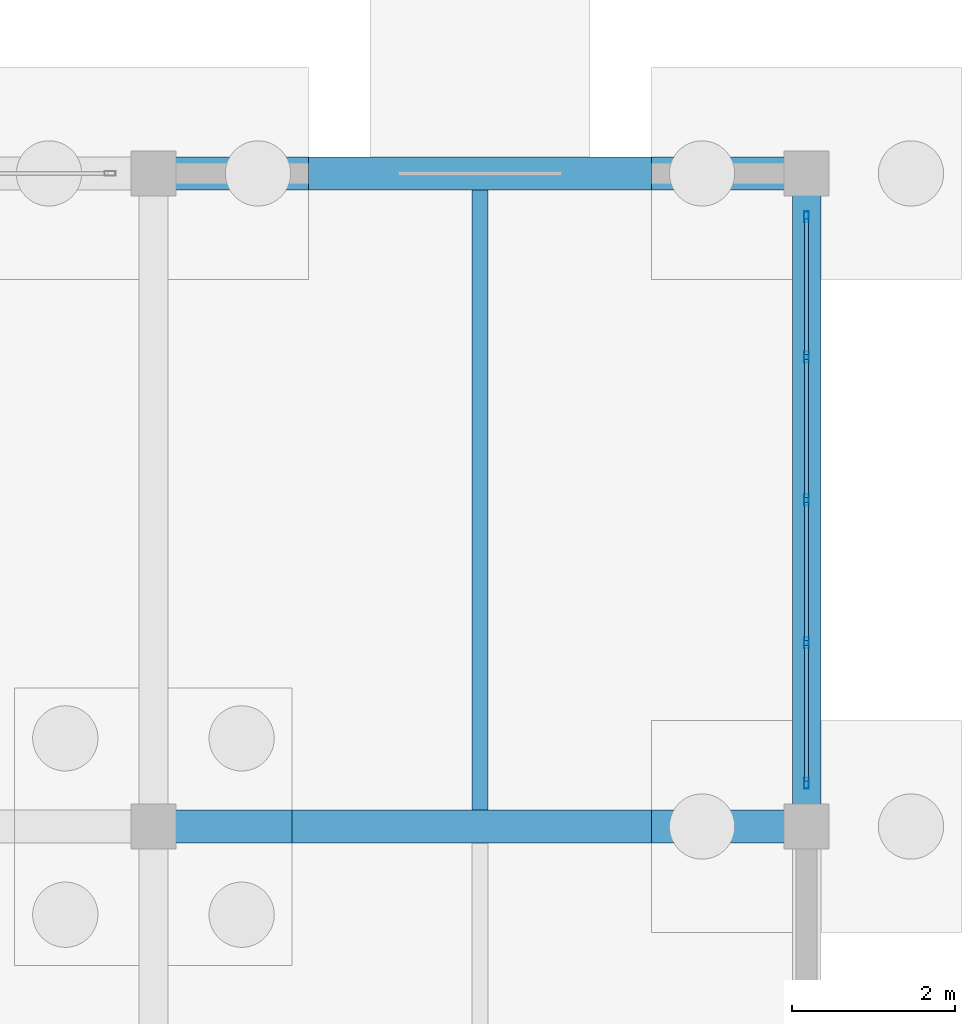
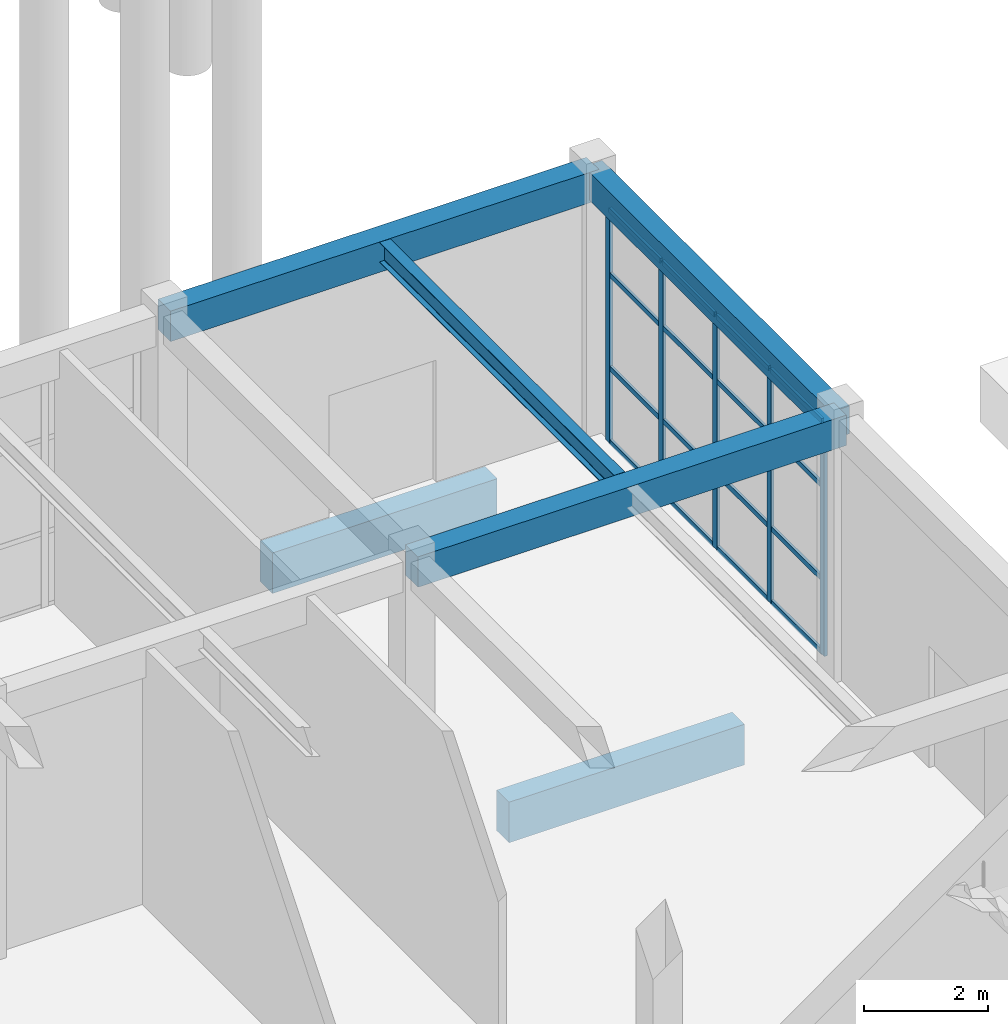
# One storey, part 24 of 90: 21 members, 6 beams, 1 element without a shape of its own.
"""IFC4 building model written with IfcOpenShell, lengths in metres."""

from ifc_helpers import new_model, si_unit, direction, frame, origin, origin_2d, place, context, subcontext, project, spatial, rectangle, hollow_rectangle, i_section, extrude, material, layer, layer_set, material_profile, profile_set, type_object, element, aggregate, save


model = new_model("IFC4")

# Units and contexts
model_context = context("Model", 3, precision=1e-05, world=origin(), true_north=direction((0.0, 1.0)))
body_context = subcontext(model_context, "Body", "Model", "MODEL_VIEW")
ifc_project = project(units=[si_unit("LENGTHUNIT", "METRE"), si_unit("AREAUNIT", "SQUARE_METRE"), si_unit("VOLUMEUNIT", "CUBIC_METRE"), si_unit("PLANEANGLEUNIT", "RADIAN"), si_unit("MASSUNIT", "GRAM", prefix="KILO")], contexts=[model_context])

# Site, building, storey
site_placement = place(None, origin())
site = spatial("IfcSite", under=ifc_project, at=site_placement, CompositionType="ELEMENT")
building_placement = place(site_placement, origin())
building = spatial("IfcBuilding", under=site, at=building_placement, Name="Canggui Botanical Conservatory", CompositionType="ELEMENT")
storey_placement = place(building_placement, origin())
storey = spatial("IfcBuildingStorey", under=building, at=storey_placement, Name="L01", CompositionType="ELEMENT", Elevation=0.0)

# Beams
ifc_material_1 = material(Name="Concrete C35", Category="concrete")
ifc_material_profile_1 = material_profile(ifc_material_1, rectangle(XDim=0.39990234375, YDim=0.800048828125, at=origin_2d()), Name="RB 400x800")
ifc_profile_set_1 = profile_set([ifc_material_profile_1], Name="Concrete C35")
beam_type_1 = type_object("IfcBeamType", Name="BM-JCL01", PredefinedType="USERDEFINED", material=ifc_profile_set_1)
beam_1_placement = place(storey_placement, frame((59.699951171875, 26.0, -0.679931640625), z_axis=(1.0, 0.0, 0.0), x_axis=(0.0, 1.0, 0.0)))
element("IfcBeam", 1, at=beam_1_placement, inside=storey, type_object=beam_type_1, Name="Foundation Grade Tie Beam JCL-019", ObjectType="GRADE BEAM", PredefinedType="USERDEFINED", context=body_context, shape_type="SweptSolid", body=[
    extrude(rectangle(XDim=0.39990234375, YDim=0.800048828125, at=origin_2d()), origin(), (0.0, 0.0, 1.0), 4.400146484375),
])
beam_2_placement = place(storey_placement, frame((59.89990234375, 34.0, -0.679931640625), z_axis=(1.0, 0.0, 0.0), x_axis=(0.0, 1.0, 0.0)))
element("IfcBeam", 2, at=beam_2_placement, inside=storey, type_object=beam_type_1, Name="Foundation Grade Tie Beam JCL-026", ObjectType="GRADE BEAM", PredefinedType="USERDEFINED", context=body_context, shape_type="SweptSolid", body=[
    extrude(rectangle(XDim=0.39990234375, YDim=0.800048828125, at=origin_2d()), origin(), (0.0, 0.0, 1.0), 4.2001953125),
])
ifc_material_2 = material(Name="Steel Q355B", Category="steel")
ifc_material_profile_2 = material_profile(ifc_material_2, i_section(OverallWidth=0.199951171875, OverallDepth=0.39990234375, WebThickness=0.008056640625, FlangeThickness=0.012939453125, FilletRadius=0.01611328125, at=origin_2d()), Name="HN 400x200x8x13")
ifc_profile_set_2 = profile_set([ifc_material_profile_2], Name="Steel Q355B")
beam_type_2 = type_object("IfcBeamType", Name="BM-JST06", PredefinedType="JOIST", material=ifc_profile_set_2)
beam_3_placement = place(storey_placement, frame((62.0, 26.205078125, 4.9599609375), z_axis=(0.0, 1.0, 0.0), x_axis=(-1.0, 0.0, 0.0)))
element("IfcBeam", 3, at=beam_3_placement, inside=storey, type_object=beam_type_2, Name="Visitor Composite Steel Joist L01-6-3", PredefinedType="JOIST", context=body_context, shape_type="SweptSolid", body=[
    extrude(i_section(OverallWidth=0.199951171875, OverallDepth=0.39990234375, WebThickness=0.008056640625, FlangeThickness=0.012939453125, FilletRadius=0.01611328125, at=origin_2d()), origin(), (0.0, 0.0, 1.0), 7.58984375),
])
ifc_material_profile_3 = material_profile(ifc_material_1, rectangle(XDim=0.39990234375, YDim=0.60009765625, at=origin_2d()), Name="RB 400x600")
ifc_profile_set_3 = profile_set([ifc_material_profile_3], Name="Concrete C35")
beam_type_3 = type_object("IfcBeamType", Name="BM-KL13", PredefinedType="BEAM", material=ifc_profile_set_3)
for number, where, z_axis, x_axis, name in (
    (4, (58.0, 26.0, 4.860107421875), (1.0, 0.0, 0.0), (0.0, 1.0, 0.0), "Visitor Girder L01 Y26-6"),
    (5, (58.0, 34.0, 4.860107421875), (1.0, 0.0, 0.0), (0.0, 1.0, 0.0), "Visitor Girder L01 Y34-6"),
):
    element("IfcBeam", number, at=place(storey_placement, frame(where, z_axis=z_axis, x_axis=x_axis)), inside=storey, type_object=beam_type_3, Name=name, PredefinedType="BEAM", context=body_context, shape_type="SweptSolid", body=[
        extrude(rectangle(XDim=0.39990234375, YDim=0.60009765625, at=origin_2d()), origin(), (0.0, 0.0, 1.0), 8.0),
    ])
ifc_material_profile_4 = material_profile(ifc_material_1, rectangle(XDim=0.35009765625, YDim=0.550048828125, at=origin_2d()), Name="RB 350x550")
ifc_profile_set_4 = profile_set([ifc_material_profile_4], Name="Concrete C35")
beam_type_4 = type_object("IfcBeamType", Name="BM-KL20", PredefinedType="BEAM", material=ifc_profile_set_4)
beam_4_placement = place(storey_placement, frame((66.0, 26.0, 4.885009765625), z_axis=(0.0, 1.0, 0.0), x_axis=(-1.0, 0.0, 0.0)))
element("IfcBeam", 6, at=beam_4_placement, inside=storey, type_object=beam_type_4, Name="Visitor Girder L01 X66-3", PredefinedType="BEAM", context=body_context, shape_type="SweptSolid", body=[
    extrude(rectangle(XDim=0.35009765625, YDim=0.550048828125, at=origin_2d()), origin(), (0.0, 0.0, 1.0), 8.0),
])

# Curtain wall, members
ifc_material_3 = material(Name="Thermally Broken Aluminium", Category="aluminium")
ifc_layer = layer(ifc_material_3, 0.135009765625, Name="Thermally Broken Aluminium", Category="aluminium")
ifc_layer_set = layer_set([ifc_layer], Name="Thermally Broken Aluminium")
curtain_wall_type = type_object("IfcCurtainWallType", Name="CW-STICK-A", PredefinedType="USERDEFINED", material=ifc_layer_set)
curtain_wall_placement = place(storey_placement, origin())
curtain_wall = element("IfcCurtainWall", 7, at=curtain_wall_placement, inside=storey, type_object=curtain_wall_type, Name="Facade Curtain Wall CW-VIS-L01-18", ObjectType="STICK GLAZED WALL", PredefinedType="USERDEFINED")
ifc_material_profile_5 = material_profile(ifc_material_3, hollow_rectangle(XDim=0.06005859375, YDim=0.135009765625, WallThickness=0.00341796875, at=origin_2d()), Name="CWM 60x135x3.5")
ifc_profile_set_5 = profile_set([ifc_material_profile_5], Name="Thermally Broken Aluminium")
member_type_1 = type_object("IfcMemberType", Name="CWM-04", PredefinedType="MULLION", material=ifc_profile_set_5)
member_1_placement = place(storey_placement, frame((66.0, 33.469970703125, 0.0), z_axis=(0.0, 0.0, 1.0), x_axis=(1.0, 0.0, 0.0)))
member_1 = element("IfcMember", 8, at=member_1_placement, type_object=member_type_1, Name="CW-04 mullion 1", PredefinedType="MULLION", context=body_context, shape_type="SweptSolid", body=[
    extrude(hollow_rectangle(XDim=0.06005859375, YDim=0.135009765625, WallThickness=0.00341796875, at=origin_2d()), origin(), (0.0, 0.0, 1.0), 4.610107421875),
])
member_2_placement = place(storey_placement, frame((66.0, 31.75, 0.0), z_axis=(0.0, 0.0, 1.0), x_axis=(1.0, 0.0, 0.0)))
member_2 = element("IfcMember", 9, at=member_2_placement, type_object=member_type_1, Name="CW-04 mullion 2", PredefinedType="MULLION", context=body_context, shape_type="SweptSolid", body=[
    extrude(hollow_rectangle(XDim=0.06005859375, YDim=0.135009765625, WallThickness=0.00341796875, at=origin_2d()), origin(), (0.0, 0.0, 1.0), 4.610107421875),
])
member_3_placement = place(storey_placement, frame((66.0, 30.0, 0.0), z_axis=(0.0, 0.0, 1.0), x_axis=(1.0, 0.0, 0.0)))
member_3 = element("IfcMember", 10, at=member_3_placement, type_object=member_type_1, Name="CW-04 mullion 3", PredefinedType="MULLION", context=body_context, shape_type="SweptSolid", body=[
    extrude(hollow_rectangle(XDim=0.06005859375, YDim=0.135009765625, WallThickness=0.00341796875, at=origin_2d()), origin(), (0.0, 0.0, 1.0), 4.610107421875),
])
member_4_placement = place(storey_placement, frame((66.0, 28.25, 0.0), z_axis=(0.0, 0.0, 1.0), x_axis=(1.0, 0.0, 0.0)))
member_4 = element("IfcMember", 11, at=member_4_placement, type_object=member_type_1, Name="CW-04 mullion 4", PredefinedType="MULLION", context=body_context, shape_type="SweptSolid", body=[
    extrude(hollow_rectangle(XDim=0.06005859375, YDim=0.135009765625, WallThickness=0.00341796875, at=origin_2d()), origin(), (0.0, 0.0, 1.0), 4.610107421875),
])
member_5_placement = place(storey_placement, frame((66.0, 26.530029296875, 0.0), z_axis=(0.0, 0.0, 1.0), x_axis=(1.0, 0.0, 0.0)))
member_5 = element("IfcMember", 12, at=member_5_placement, type_object=member_type_1, Name="CW-04 mullion 5", PredefinedType="MULLION", context=body_context, shape_type="SweptSolid", body=[
    extrude(hollow_rectangle(XDim=0.06005859375, YDim=0.135009765625, WallThickness=0.00341796875, at=origin_2d()), origin(), (0.0, 0.0, 1.0), 4.610107421875),
])
ifc_material_profile_6 = material_profile(ifc_material_3, hollow_rectangle(XDim=0.050048828125, YDim=0.10009765625, WallThickness=0.0029296875, at=origin_2d()), Name="CWT 50x100x3")
ifc_profile_set_6 = profile_set([ifc_material_profile_6], Name="Thermally Broken Aluminium")
member_type_2 = type_object("IfcMemberType", Name="CWT-04", PredefinedType="USERDEFINED", material=ifc_profile_set_6)
member_6_placement = place(storey_placement, frame((66.0, 33.43994140625, 0.02490234375), z_axis=(0.0, -1.0, 0.0), x_axis=(1.0, 0.0, 0.0)))
member_6 = element("IfcMember", 13, at=member_6_placement, type_object=member_type_2, Name="CW-04 transom 1.1", ObjectType="TRANSOM", PredefinedType="USERDEFINED", context=body_context, shape_type="SweptSolid", body=[
    extrude(hollow_rectangle(XDim=0.050048828125, YDim=0.10009765625, WallThickness=0.0029296875, at=origin_2d()), origin(), (0.0, 0.0, 1.0), 1.659912109375),
])
member_7_placement = place(storey_placement, frame((66.0, 33.43994140625, 1.47509765625), z_axis=(0.0, -1.0, 0.0), x_axis=(1.0, 0.0, 0.0)))
member_7 = element("IfcMember", 14, at=member_7_placement, type_object=member_type_2, Name="CW-04 transom 1.2", ObjectType="TRANSOM", PredefinedType="USERDEFINED", context=body_context, shape_type="SweptSolid", body=[
    extrude(hollow_rectangle(XDim=0.050048828125, YDim=0.10009765625, WallThickness=0.0029296875, at=origin_2d()), origin(), (0.0, 0.0, 1.0), 1.659912109375),
])
member_8_placement = place(storey_placement, frame((66.0, 33.43994140625, 3.319091796875), z_axis=(0.0, -1.0, 0.0), x_axis=(1.0, 0.0, 0.0)))
member_8 = element("IfcMember", 15, at=member_8_placement, type_object=member_type_2, Name="CW-04 transom 1.3", ObjectType="TRANSOM", PredefinedType="USERDEFINED", context=body_context, shape_type="SweptSolid", body=[
    extrude(hollow_rectangle(XDim=0.050048828125, YDim=0.10009765625, WallThickness=0.0029296875, at=origin_2d()), origin(), (0.0, 0.0, 1.0), 1.659912109375),
])
member_9_placement = place(storey_placement, frame((66.0, 33.43994140625, 4.5849609375), z_axis=(0.0, -1.0, 0.0), x_axis=(1.0, 0.0, 0.0)))
member_9 = element("IfcMember", 16, at=member_9_placement, type_object=member_type_2, Name="CW-04 transom 1.4", ObjectType="TRANSOM", PredefinedType="USERDEFINED", context=body_context, shape_type="SweptSolid", body=[
    extrude(hollow_rectangle(XDim=0.050048828125, YDim=0.10009765625, WallThickness=0.0029296875, at=origin_2d()), origin(), (0.0, 0.0, 1.0), 1.659912109375),
])
member_10_placement = place(storey_placement, frame((66.0, 31.719970703125, 0.02490234375), z_axis=(0.0, -1.0, 0.0), x_axis=(1.0, 0.0, 0.0)))
member_10 = element("IfcMember", 17, at=member_10_placement, type_object=member_type_2, Name="CW-04 transom 2.1", ObjectType="TRANSOM", PredefinedType="USERDEFINED", context=body_context, shape_type="SweptSolid", body=[
    extrude(hollow_rectangle(XDim=0.050048828125, YDim=0.10009765625, WallThickness=0.0029296875, at=origin_2d()), origin(), (0.0, 0.0, 1.0), 1.68994140625),
])
member_11_placement = place(storey_placement, frame((66.0, 31.719970703125, 1.47509765625), z_axis=(0.0, -1.0, 0.0), x_axis=(1.0, 0.0, 0.0)))
member_11 = element("IfcMember", 18, at=member_11_placement, type_object=member_type_2, Name="CW-04 transom 2.2", ObjectType="TRANSOM", PredefinedType="USERDEFINED", context=body_context, shape_type="SweptSolid", body=[
    extrude(hollow_rectangle(XDim=0.050048828125, YDim=0.10009765625, WallThickness=0.0029296875, at=origin_2d()), origin(), (0.0, 0.0, 1.0), 1.68994140625),
])
member_12_placement = place(storey_placement, frame((66.0, 31.719970703125, 3.319091796875), z_axis=(0.0, -1.0, 0.0), x_axis=(1.0, 0.0, 0.0)))
member_12 = element("IfcMember", 19, at=member_12_placement, type_object=member_type_2, Name="CW-04 transom 2.3", ObjectType="TRANSOM", PredefinedType="USERDEFINED", context=body_context, shape_type="SweptSolid", body=[
    extrude(hollow_rectangle(XDim=0.050048828125, YDim=0.10009765625, WallThickness=0.0029296875, at=origin_2d()), origin(), (0.0, 0.0, 1.0), 1.68994140625),
])
member_13_placement = place(storey_placement, frame((66.0, 31.719970703125, 4.5849609375), z_axis=(0.0, -1.0, 0.0), x_axis=(1.0, 0.0, 0.0)))
member_13 = element("IfcMember", 20, at=member_13_placement, type_object=member_type_2, Name="CW-04 transom 2.4", ObjectType="TRANSOM", PredefinedType="USERDEFINED", context=body_context, shape_type="SweptSolid", body=[
    extrude(hollow_rectangle(XDim=0.050048828125, YDim=0.10009765625, WallThickness=0.0029296875, at=origin_2d()), origin(), (0.0, 0.0, 1.0), 1.68994140625),
])
member_14_placement = place(storey_placement, frame((66.0, 29.969970703125, 0.02490234375), z_axis=(0.0, -1.0, 0.0), x_axis=(1.0, 0.0, 0.0)))
member_14 = element("IfcMember", 21, at=member_14_placement, type_object=member_type_2, Name="CW-04 transom 3.1", ObjectType="TRANSOM", PredefinedType="USERDEFINED", context=body_context, shape_type="SweptSolid", body=[
    extrude(hollow_rectangle(XDim=0.050048828125, YDim=0.10009765625, WallThickness=0.0029296875, at=origin_2d()), origin(), (0.0, 0.0, 1.0), 1.68994140625),
])
member_15_placement = place(storey_placement, frame((66.0, 29.969970703125, 1.47509765625), z_axis=(0.0, -1.0, 0.0), x_axis=(1.0, 0.0, 0.0)))
member_15 = element("IfcMember", 22, at=member_15_placement, type_object=member_type_2, Name="CW-04 transom 3.2", ObjectType="TRANSOM", PredefinedType="USERDEFINED", context=body_context, shape_type="SweptSolid", body=[
    extrude(hollow_rectangle(XDim=0.050048828125, YDim=0.10009765625, WallThickness=0.0029296875, at=origin_2d()), origin(), (0.0, 0.0, 1.0), 1.68994140625),
])
member_16_placement = place(storey_placement, frame((66.0, 29.969970703125, 3.319091796875), z_axis=(0.0, -1.0, 0.0), x_axis=(1.0, 0.0, 0.0)))
member_16 = element("IfcMember", 23, at=member_16_placement, type_object=member_type_2, Name="CW-04 transom 3.3", ObjectType="TRANSOM", PredefinedType="USERDEFINED", context=body_context, shape_type="SweptSolid", body=[
    extrude(hollow_rectangle(XDim=0.050048828125, YDim=0.10009765625, WallThickness=0.0029296875, at=origin_2d()), origin(), (0.0, 0.0, 1.0), 1.68994140625),
])
member_17_placement = place(storey_placement, frame((66.0, 29.969970703125, 4.5849609375), z_axis=(0.0, -1.0, 0.0), x_axis=(1.0, 0.0, 0.0)))
member_17 = element("IfcMember", 24, at=member_17_placement, type_object=member_type_2, Name="CW-04 transom 3.4", ObjectType="TRANSOM", PredefinedType="USERDEFINED", context=body_context, shape_type="SweptSolid", body=[
    extrude(hollow_rectangle(XDim=0.050048828125, YDim=0.10009765625, WallThickness=0.0029296875, at=origin_2d()), origin(), (0.0, 0.0, 1.0), 1.68994140625),
])
member_18_placement = place(storey_placement, frame((66.0, 28.219970703125, 0.02490234375), z_axis=(0.0, -1.0, 0.0), x_axis=(1.0, 0.0, 0.0)))
member_18 = element("IfcMember", 25, at=member_18_placement, type_object=member_type_2, Name="CW-04 transom 4.1", ObjectType="TRANSOM", PredefinedType="USERDEFINED", context=body_context, shape_type="SweptSolid", body=[
    extrude(hollow_rectangle(XDim=0.050048828125, YDim=0.10009765625, WallThickness=0.0029296875, at=origin_2d()), origin(), (0.0, 0.0, 1.0), 1.659912109375),
])
member_19_placement = place(storey_placement, frame((66.0, 28.219970703125, 1.47509765625), z_axis=(0.0, -1.0, 0.0), x_axis=(1.0, 0.0, 0.0)))
member_19 = element("IfcMember", 26, at=member_19_placement, type_object=member_type_2, Name="CW-04 transom 4.2", ObjectType="TRANSOM", PredefinedType="USERDEFINED", context=body_context, shape_type="SweptSolid", body=[
    extrude(hollow_rectangle(XDim=0.050048828125, YDim=0.10009765625, WallThickness=0.0029296875, at=origin_2d()), origin(), (0.0, 0.0, 1.0), 1.659912109375),
])
member_20_placement = place(storey_placement, frame((66.0, 28.219970703125, 3.319091796875), z_axis=(0.0, -1.0, 0.0), x_axis=(1.0, 0.0, 0.0)))
member_20 = element("IfcMember", 27, at=member_20_placement, type_object=member_type_2, Name="CW-04 transom 4.3", ObjectType="TRANSOM", PredefinedType="USERDEFINED", context=body_context, shape_type="SweptSolid", body=[
    extrude(hollow_rectangle(XDim=0.050048828125, YDim=0.10009765625, WallThickness=0.0029296875, at=origin_2d()), origin(), (0.0, 0.0, 1.0), 1.659912109375),
])
member_21_placement = place(storey_placement, frame((66.0, 28.219970703125, 4.5849609375), z_axis=(0.0, -1.0, 0.0), x_axis=(1.0, 0.0, 0.0)))
member_21 = element("IfcMember", 28, at=member_21_placement, type_object=member_type_2, Name="CW-04 transom 4.4", ObjectType="TRANSOM", PredefinedType="USERDEFINED", context=body_context, shape_type="SweptSolid", body=[
    extrude(hollow_rectangle(XDim=0.050048828125, YDim=0.10009765625, WallThickness=0.0029296875, at=origin_2d()), origin(), (0.0, 0.0, 1.0), 1.659912109375),
])
aggregate(curtain_wall, [member_1, member_2, member_3, member_4, member_5, member_6, member_7, member_8, member_9, member_10, member_11, member_12, member_13, member_14, member_15, member_16, member_17, member_18, member_19, member_20, member_21])

save(model, "model.ifc")
